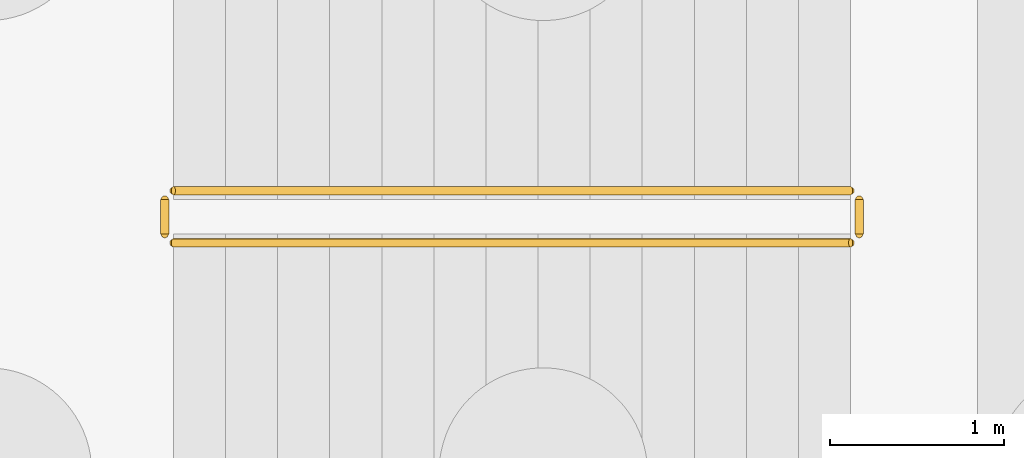
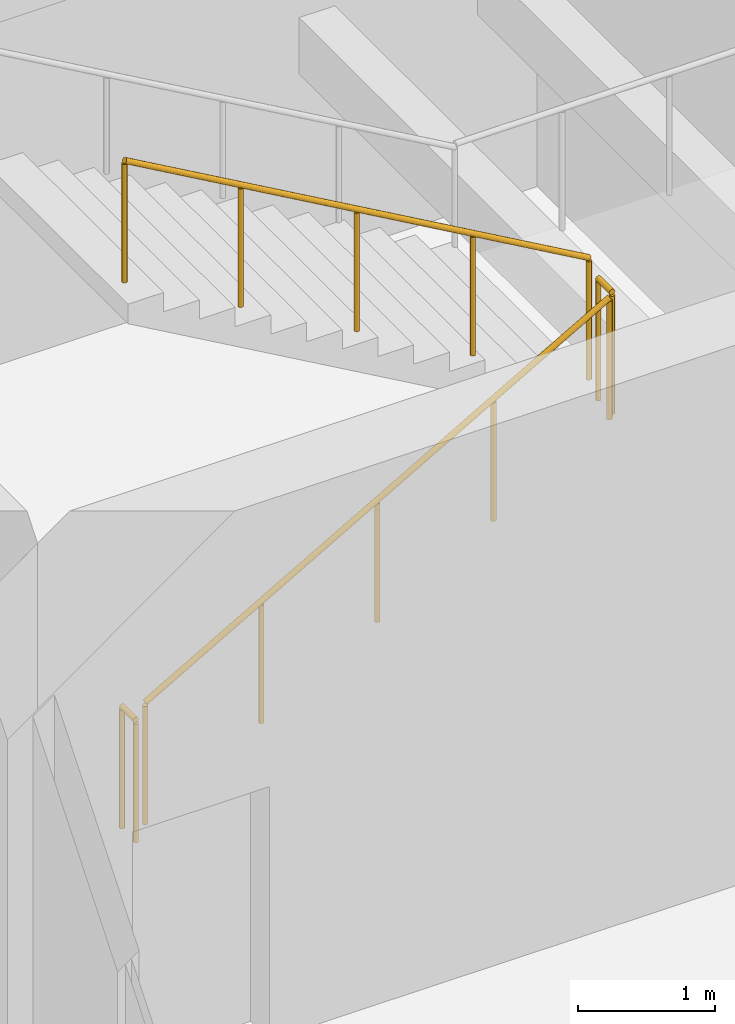
# One storey, part 22 of 25: 4 railings.
"""IFC4 building model written with IfcOpenShell, lengths in metres."""

from ifc_helpers import new_model, si_unit, direction, frame, origin, origin_2d, place, context, subcontext, project, spatial, circle, extrude, material, type_object, element, save


model = new_model("IFC4")

# Units and contexts
model_context = context("Model", 3, precision=1e-05, world=origin(), true_north=direction((0.0, 1.0)))
body_context = subcontext(model_context, "Body", "Model", "MODEL_VIEW")
ifc_project = project(units=[si_unit("LENGTHUNIT", "METRE"), si_unit("AREAUNIT", "SQUARE_METRE"), si_unit("VOLUMEUNIT", "CUBIC_METRE"), si_unit("PLANEANGLEUNIT", "RADIAN"), si_unit("MASSUNIT", "GRAM", prefix="KILO")], contexts=[model_context])

# Site, building, storey
site_placement = place(None, origin())
site = spatial("IfcSite", under=ifc_project, at=site_placement, CompositionType="ELEMENT")
building_placement = place(site_placement, origin())
building = spatial("IfcBuilding", under=site, at=building_placement, Name="Tarnveldt Square Police Headquarters", CompositionType="ELEMENT")
storey_placement = place(building_placement, frame((0.0, 0.0, -4.800048828125)))
storey = spatial("IfcBuildingStorey", under=building, at=storey_placement, Name="B1", CompositionType="ELEMENT", Elevation=-4.800048828125)

# Railings
ifc_material = material(Name="Steel 350W", Category="steel")
railing_type = type_object("IfcRailingType", Name="RL-GR-1100", PredefinedType="GUARDRAIL", material=ifc_material)
railing_1_placement = place(storey_placement, frame((108.3701171875, 62.719970703125, 0.17138671875)))
element("IfcRailing", 1, at=railing_1_placement, inside=storey, type_object=railing_type, Name="B1 ST4 stair guard 1", PredefinedType="GUARDRAIL", context=body_context, shape_type="SweptSolid", body=[
    extrude(circle(Radius=0.02392578125, at=origin_2d()), frame((0.0, 0.0, 1.076171875), z_axis=(0.868219727965, 0.0, 0.496179910892), x_axis=(0.0, 1.0, 0.0)), (0.0, 0.0, 1.0), 4.491943359375),
    extrude(circle(Radius=0.02099609375, at=origin_2d()), origin(), (0.0, 0.0, 1.0), 1.052001953125),
    extrude(circle(Radius=0.02099609375, at=origin_2d()), frame((0.97509765625, 0.0, 0.55712890625)), (0.0, 0.0, 1.0), 1.052001953125),
    extrude(circle(Radius=0.02099609375, at=origin_2d()), frame((1.949951171875, 0.0, 1.1142578125)), (0.0, 0.0, 1.0), 1.052001953125),
    extrude(circle(Radius=0.02099609375, at=origin_2d()), frame((2.9248046875, 0.0, 1.671630859375)), (0.0, 0.0, 1.0), 1.052001953125),
    extrude(circle(Radius=0.02099609375, at=origin_2d()), frame((3.89990234375, 0.0, 2.228759765625)), (0.0, 0.0, 1.0), 1.052001953125),
])
railing_2_placement = place(storey_placement, frame((112.320068359375, 62.77001953125, 2.400146484375)))
element("IfcRailing", 2, at=railing_2_placement, inside=storey, type_object=railing_type, Name="B1 ST4 stair guard 2", PredefinedType="GUARDRAIL", context=body_context, shape_type="SweptSolid", body=[
    extrude(circle(Radius=0.02392578125, at=origin_2d()), frame((0.0, 0.0, 1.076171875), z_axis=(0.0, 1.0, 0.0), x_axis=(-1.0, 0.0, 0.0)), (0.0, 0.0, 1.0), 0.199951171875),
    extrude(circle(Radius=0.02099609375, at=origin_2d()), origin(), (0.0, 0.0, 1.0), 1.052001953125),
    extrude(circle(Radius=0.02099609375, at=origin_2d()), frame((0.0, 0.199951171875, 0.0)), (0.0, 0.0, 1.0), 1.052001953125),
])
railing_3_placement = place(storey_placement, frame((112.27001953125, 63.02001953125, 2.571533203125)))
element("IfcRailing", 3, at=railing_3_placement, inside=storey, type_object=railing_type, Name="B1 ST4 stair guard 4", PredefinedType="GUARDRAIL", context=body_context, shape_type="SweptSolid", body=[
    extrude(circle(Radius=0.02392578125, at=origin_2d()), frame((0.0, 0.0, 1.076171875), z_axis=(-0.868243142124, 0.0, 0.496138938357), x_axis=(0.0, -1.0, 0.0)), (0.0, 0.0, 1.0), 4.49169921875),
    extrude(circle(Radius=0.02099609375, at=origin_2d()), origin(), (0.0, 0.0, 1.0), 1.052001953125),
    extrude(circle(Radius=0.02099609375, at=origin_2d()), frame((-0.97509765625, 0.0, 0.55712890625)), (0.0, 0.0, 1.0), 1.052001953125),
    extrude(circle(Radius=0.02099609375, at=origin_2d()), frame((-1.949951171875, 0.0, 1.1142578125)), (0.0, 0.0, 1.0), 1.052001953125),
    extrude(circle(Radius=0.02099609375, at=origin_2d()), frame((-2.9248046875, 0.0, 1.67138671875)), (0.0, 0.0, 1.0), 1.052001953125),
    extrude(circle(Radius=0.02099609375, at=origin_2d()), frame((-3.89990234375, 0.0, 2.228515625)), (0.0, 0.0, 1.0), 1.052001953125),
])
railing_4_placement = place(storey_placement, frame((108.320068359375, 62.77001953125, 0.0)))
element("IfcRailing", 4, at=railing_4_placement, inside=storey, type_object=railing_type, Name="B1 ST4 stair guard 5", PredefinedType="GUARDRAIL", context=body_context, shape_type="SweptSolid", body=[
    extrude(circle(Radius=0.02392578125, at=origin_2d()), frame((0.0, 0.0, 1.076171875), z_axis=(0.0, 1.0, 0.0), x_axis=(-1.0, 0.0, 0.0)), (0.0, 0.0, 1.0), 0.199951171875),
    extrude(circle(Radius=0.02099609375, at=origin_2d()), origin(), (0.0, 0.0, 1.0), 1.052001953125),
    extrude(circle(Radius=0.02099609375, at=origin_2d()), frame((0.0, 0.199951171875, 0.0)), (0.0, 0.0, 1.0), 1.052001953125),
])

save(model, "model.ifc")
